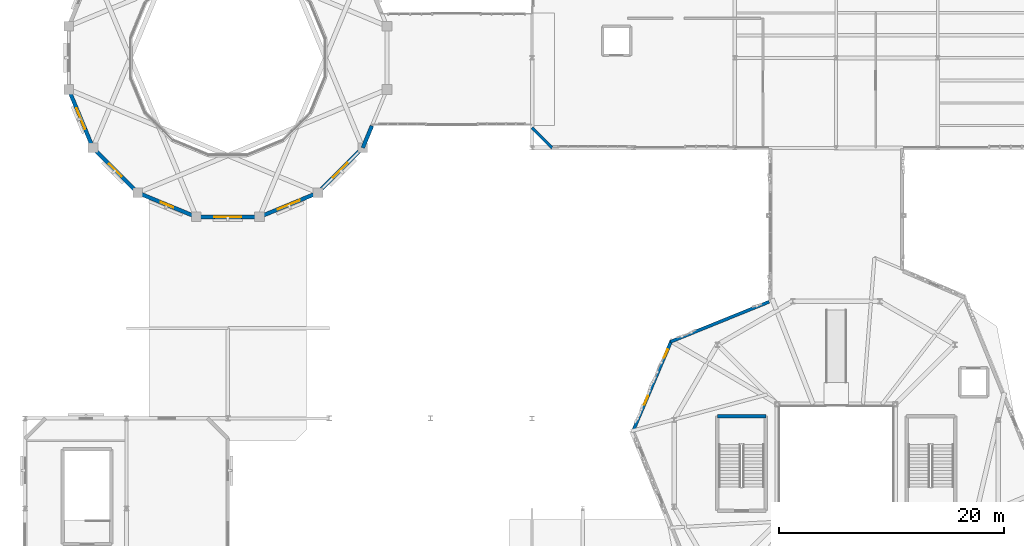
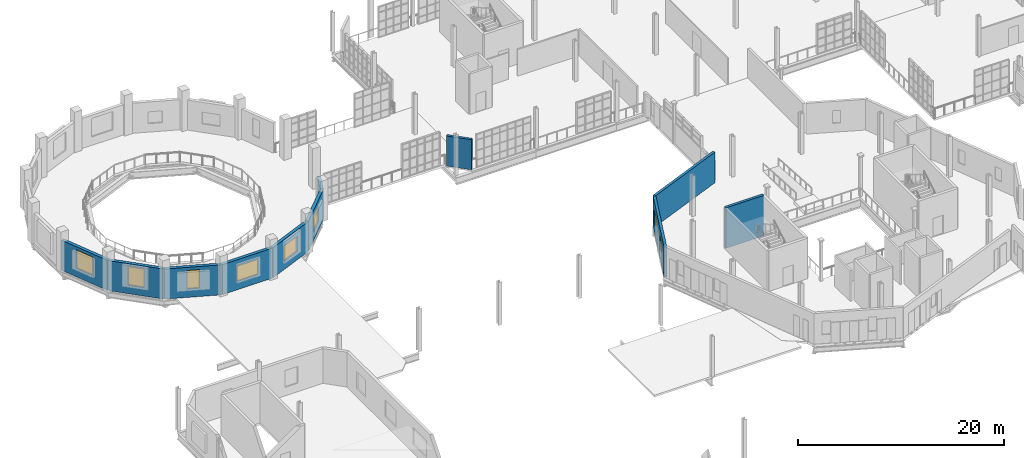
# One storey, part 98 of 122: 11 walls, 8 windows, 8 openings.
"""IFC4 building model written with IfcOpenShell, lengths in metres."""

from ifc_helpers import new_model, si_unit, direction, frame, frame_2d, origin, place, context, subcontext, project, spatial, rectangle, extrude, material, layer, layer_set, type_object, element, fill, save


model = new_model("IFC4")

# Units and contexts
model_context = context("Model", 3, precision=1e-05, world=origin(), true_north=direction((0.0, 1.0)))
body_context = subcontext(model_context, "Body", "Model", "MODEL_VIEW")
ifc_project = project(units=[si_unit("LENGTHUNIT", "METRE"), si_unit("AREAUNIT", "SQUARE_METRE"), si_unit("VOLUMEUNIT", "CUBIC_METRE"), si_unit("PLANEANGLEUNIT", "RADIAN"), si_unit("MASSUNIT", "GRAM", prefix="KILO"), si_unit("THERMODYNAMICTEMPERATUREUNIT", "KELVIN"), si_unit("POWERUNIT", "WATT")], contexts=[model_context])

# Site, building, storey
site_placement = place(None, origin())
site = spatial("IfcSite", under=ifc_project, at=site_placement, CompositionType="ELEMENT")
building_placement = place(site_placement, origin())
building = spatial("IfcBuilding", under=site, at=building_placement, Name="Zelmaris Science Centre", CompositionType="ELEMENT")
storey_placement = place(building_placement, frame((0.0, 0.0, 10.800048828125)))
storey = spatial("IfcBuildingStorey", under=building, at=storey_placement, Name="L02", CompositionType="ELEMENT", Elevation=10.800048828125)

# Walls
ifc_material_1 = material(Name="Concrete C40/50", Category="concrete")
ifc_layer_1 = layer(ifc_material_1, 0.300048828125, Name="Concrete C40/50")
ifc_layer_set_1 = layer_set([ifc_layer_1], Name="Concrete C40/50")
wall_type_1 = type_object("IfcWallType", Name="Core Shear Wall CW-S1 300mm", PredefinedType="SOLIDWALL", material=ifc_layer_set_1)
wall_1_placement = place(storey_placement, frame((74.75, 40.199951171875, 0.0), z_axis=(0.0, 0.0, 1.0), x_axis=(-1.0, 0.0, 0.0)))
element("IfcWall", 1, at=wall_1_placement, inside=storey, type_object=wall_type_1, Name="L02 ST-1 core shear wall far", PredefinedType="SOLIDWALL", context=body_context, shape_type="SweptSolid", body=[
    extrude(rectangle(XDim=4.300048828125, YDim=0.300048828125, at=frame_2d((2.14990234375, 0.0))), origin(), (0.0, 0.0, 1.0), 4.800048828125),
])
ifc_material_2 = material(Name="Yucatan limestone ashlar masonry", Category="masonry")
ifc_layer_2 = layer(ifc_material_2, 0.340087890625, Name="Yucatan limestone ashlar masonry")
ifc_layer_set_2 = layer_set([ifc_layer_2], Name="Yucatan limestone ashlar masonry")
wall_type_2 = type_object("IfcWallType", Name="Exterior Wall EW-02 340mm", PredefinedType="SOLIDWALL", material=ifc_layer_set_2)
wall_2_placement = place(storey_placement, frame((39.786376953125, 65.962890625, 0.0), z_axis=(0.0, 0.0, 1.0), x_axis=(-0.382713710353, -0.923866990377, 0.0)))
element("IfcWall", 2, at=wall_2_placement, inside=storey, type_object=wall_type_2, Name="L02 Exterior wall 96", PredefinedType="SOLIDWALL", context=body_context, shape_type="SweptSolid", body=[
    extrude(rectangle(XDim=2.125, YDim=0.340087890625, at=frame_2d((1.0625, 0.0))), origin(), (0.0, 0.0, 1.0), 3.56494140625),
])

# Wall, opening, window
wall_3_placement = place(storey_placement, frame((38.97314453125, 63.999755859375, 0.0), z_axis=(0.0, 0.0, 1.0), x_axis=(-0.707106781187, -0.707106781187, 0.0)))
wall_3 = element("IfcWall", 3, at=wall_3_placement, inside=storey, type_object=wall_type_2, Name="L02 Exterior wall 97", PredefinedType="SOLIDWALL", context=body_context, shape_type="SweptSolid", body=[
    extrude(rectangle(XDim=5.618408203125, YDim=0.340087890625, at=frame_2d((2.80908203125, 0.0))), origin(), (0.0, 0.0, 1.0), 3.56494140625),
])
opening_1_placement = place(wall_3_placement, frame((1.9091796875, 0.0, 1.0)))
opening_1 = element("IfcOpeningElement", 4, at=opening_1_placement, cuts=wall_3, Name="Opening W-03", PredefinedType="OPENING", context=body_context, shape_type="SweptSolid", body=[
    extrude(rectangle(XDim=1.800048828125, YDim=1.800048828125, at=frame_2d((0.89990234375, 0.89990234375))), frame((0.0, 0.179931640625, 0.0), z_axis=(0.0, -1.0, 0.0), x_axis=(1.0, 0.0, 0.0)), (0.0, 0.0, 1.0), 0.360107421875),
])
ifc_material_3 = material(Name="Laminated hurricane-rated low-E insulated glazing", Category="glass")
window_type_1 = type_object("IfcWindowType", Name="Window W-03 1800x1800", PartitioningType="SINGLE_PANEL", PredefinedType="WINDOW", material=ifc_material_3)
window_1_placement = place(opening_1_placement, origin())
window_1 = element("IfcWindow", 5, at=window_1_placement, inside=storey, type_object=window_type_1, Name="L02 Facade window 51", OverallHeight=1.800048828125, OverallWidth=1.800048828125, PartitioningType="SINGLE_PANEL", PredefinedType="WINDOW", context=body_context, shape_type="SweptSolid", body=[
    extrude(rectangle(XDim=1.800048828125, YDim=1.800048828125, at=frame_2d((0.89990234375, 0.89990234375))), frame((0.0, 0.030029296875, 0.0), z_axis=(0.0, -1.0, 0.0), x_axis=(1.0, 0.0, 0.0)), (0.0, 0.0, 1.0), 0.06005859375),
])
fill(opening_1, window_1)

wall_4_placement = place(storey_placement, frame((35.000244140625, 60.02685546875, 0.0), z_axis=(0.0, 0.0, 1.0), x_axis=(-0.923879667137, -0.38268310735, 0.0)))
wall_4 = element("IfcWall", 6, at=wall_4_placement, inside=storey, type_object=wall_type_2, Name="L02 Exterior wall 98", PredefinedType="SOLIDWALL", context=body_context, shape_type="SweptSolid", body=[
    extrude(rectangle(XDim=5.61865234375, YDim=0.340087890625, at=frame_2d((2.809326171875, 0.0))), origin(), (0.0, 0.0, 1.0), 3.56494140625),
])
opening_2_placement = place(wall_4_placement, frame((1.75927734375, 0.0, 1.0)))
opening_2 = element("IfcOpeningElement", 7, at=opening_2_placement, cuts=wall_4, Name="Opening W-04", PredefinedType="OPENING", context=body_context, shape_type="SweptSolid", body=[
    extrude(rectangle(XDim=2.10009765625, YDim=1.800048828125, at=frame_2d((1.050048828125, 0.89990234375))), frame((0.0, 0.179931640625, 0.0), z_axis=(0.0, -1.0, 0.0), x_axis=(1.0, 0.0, 0.0)), (0.0, 0.0, 1.0), 0.360107421875),
])
window_type_2 = type_object("IfcWindowType", Name="Window W-04 2100x1800", PartitioningType="SINGLE_PANEL", PredefinedType="WINDOW", material=ifc_material_3)
window_2_placement = place(opening_2_placement, origin())
window_2 = element("IfcWindow", 8, at=window_2_placement, inside=storey, type_object=window_type_2, Name="L02 Facade window 52", OverallHeight=1.800048828125, OverallWidth=2.10009765625, PartitioningType="SINGLE_PANEL", PredefinedType="WINDOW", context=body_context, shape_type="SweptSolid", body=[
    extrude(rectangle(XDim=2.10009765625, YDim=1.800048828125, at=frame_2d((1.050048828125, 0.89990234375))), frame((0.0, 0.030029296875, 0.0), z_axis=(0.0, -1.0, 0.0), x_axis=(1.0, 0.0, 0.0)), (0.0, 0.0, 1.0), 0.06005859375),
])
fill(opening_2, window_2)

wall_5_placement = place(storey_placement, frame((29.809326171875, 57.876708984375, 0.0), z_axis=(0.0, 0.0, 1.0), x_axis=(-1.0, 0.0, 0.0)))
wall_5 = element("IfcWall", 9, at=wall_5_placement, inside=storey, type_object=wall_type_2, Name="L02 Exterior wall 99", PredefinedType="SOLIDWALL", context=body_context, shape_type="SweptSolid", body=[
    extrude(rectangle(XDim=5.61865234375, YDim=0.340087890625, at=frame_2d((2.809326171875, 0.0))), origin(), (0.0, 0.0, 1.0), 3.56494140625),
])
opening_3_placement = place(wall_5_placement, frame((1.609375, 0.0, 1.0)))
opening_3 = element("IfcOpeningElement", 10, at=opening_3_placement, cuts=wall_5, Name="Opening W-05", PredefinedType="OPENING", context=body_context, shape_type="SweptSolid", body=[
    extrude(rectangle(XDim=2.39990234375, YDim=1.800048828125, at=frame_2d((1.199951171875, 0.89990234375))), frame((0.0, 0.179931640625, 0.0), z_axis=(0.0, -1.0, 0.0), x_axis=(1.0, 0.0, 0.0)), (0.0, 0.0, 1.0), 0.360107421875),
])
window_type_3 = type_object("IfcWindowType", Name="Window W-05 2400x1800", PartitioningType="SINGLE_PANEL", PredefinedType="WINDOW", material=ifc_material_3)
window_3_placement = place(opening_3_placement, origin())
window_3 = element("IfcWindow", 11, at=window_3_placement, inside=storey, type_object=window_type_3, Name="L02 Facade window 53", OverallHeight=1.800048828125, OverallWidth=2.39990234375, PartitioningType="SINGLE_PANEL", PredefinedType="WINDOW", context=body_context, shape_type="SweptSolid", body=[
    extrude(rectangle(XDim=2.39990234375, YDim=1.800048828125, at=frame_2d((1.199951171875, 0.89990234375))), frame((0.0, 0.030029296875, 0.0), z_axis=(0.0, -1.0, 0.0), x_axis=(1.0, 0.0, 0.0)), (0.0, 0.0, 1.0), 0.06005859375),
])
fill(opening_3, window_3)

wall_6_placement = place(storey_placement, frame((24.190673828125, 57.876708984375, 0.0), z_axis=(0.0, 0.0, 1.0), x_axis=(-0.923843674283, 0.382769990318, 0.0)))
wall_6 = element("IfcWall", 12, at=wall_6_placement, inside=storey, type_object=wall_type_2, Name="L02 Exterior wall 100", PredefinedType="SOLIDWALL", context=body_context, shape_type="SweptSolid", body=[
    extrude(rectangle(XDim=5.619873046875, YDim=0.340087890625, at=frame_2d((2.81005859375, 0.0))), origin(), (0.0, 0.0, 1.0), 3.56494140625),
])
opening_4_placement = place(wall_6_placement, frame((2.2099609375, 0.0, 1.0)))
opening_4 = element("IfcOpeningElement", 13, at=opening_4_placement, cuts=wall_6, Name="Opening W-06", PredefinedType="OPENING", context=body_context, shape_type="SweptSolid", body=[
    extrude(rectangle(XDim=1.199951171875, YDim=2.199951171875, at=frame_2d((0.60009765625, 1.10009765625))), frame((0.0, 0.179931640625, 0.0), z_axis=(0.0, -1.0, 0.0), x_axis=(1.0, 0.0, 0.0)), (0.0, 0.0, 1.0), 0.360107421875),
])
window_type_4 = type_object("IfcWindowType", Name="Window W-06 1200x2200", PartitioningType="SINGLE_PANEL", PredefinedType="WINDOW", material=ifc_material_3)
window_4_placement = place(opening_4_placement, origin())
window_4 = element("IfcWindow", 14, at=window_4_placement, inside=storey, type_object=window_type_4, Name="L02 Facade window 54", OverallHeight=2.199951171875, OverallWidth=1.199951171875, PartitioningType="SINGLE_PANEL", PredefinedType="WINDOW", context=body_context, shape_type="SweptSolid", body=[
    extrude(rectangle(XDim=1.199951171875, YDim=2.199951171875, at=frame_2d((0.60009765625, 1.10009765625))), frame((0.0, 0.030029296875, 0.0), z_axis=(0.0, -1.0, 0.0), x_axis=(1.0, 0.0, 0.0)), (0.0, 0.0, 1.0), 0.06005859375),
])
fill(opening_4, window_4)

wall_7_placement = place(storey_placement, frame((18.998779296875, 60.02783203125, 0.0), z_axis=(0.0, 0.0, 1.0), x_axis=(-0.707106781187, 0.707106781187, 0.0)))
wall_7 = element("IfcWall", 15, at=wall_7_placement, inside=storey, type_object=wall_type_2, Name="L02 Exterior wall 101", PredefinedType="SOLIDWALL", context=body_context, shape_type="SweptSolid", body=[
    extrude(rectangle(XDim=5.6171875, YDim=0.340087890625, at=frame_2d((2.80859375, 0.0))), origin(), (0.0, 0.0, 1.0), 3.56494140625),
])
opening_5_placement = place(wall_7_placement, frame((2.008544921875, 0.0, 1.0)))
opening_5 = element("IfcOpeningElement", 16, at=opening_5_placement, cuts=wall_7, Name="Opening W-07", PredefinedType="OPENING", context=body_context, shape_type="SweptSolid", body=[
    extrude(rectangle(XDim=1.60009765625, YDim=2.199951171875, at=frame_2d((0.800048828125, 1.10009765625))), frame((0.0, 0.179931640625, 0.0), z_axis=(0.0, -1.0, 0.0), x_axis=(1.0, 0.0, 0.0)), (0.0, 0.0, 1.0), 0.360107421875),
])
window_type_5 = type_object("IfcWindowType", Name="Window W-07 1600x2200", PartitioningType="SINGLE_PANEL", PredefinedType="WINDOW", material=ifc_material_3)
window_5_placement = place(opening_5_placement, origin())
window_5 = element("IfcWindow", 17, at=window_5_placement, inside=storey, type_object=window_type_5, Name="L02 Facade window 55", OverallHeight=2.199951171875, OverallWidth=1.60009765625, PartitioningType="SINGLE_PANEL", PredefinedType="WINDOW", context=body_context, shape_type="SweptSolid", body=[
    extrude(rectangle(XDim=1.60009765625, YDim=2.199951171875, at=frame_2d((0.800048828125, 1.10009765625))), frame((0.0, 0.030029296875, 0.0), z_axis=(0.0, -1.0, 0.0), x_axis=(1.0, 0.0, 0.0)), (0.0, 0.0, 1.0), 0.06005859375),
])
fill(opening_5, window_5)

wall_8_placement = place(storey_placement, frame((15.02685546875, 63.999755859375, 0.0), z_axis=(0.0, 0.0, 1.0), x_axis=(-0.38268310735, 0.923879667137, 0.0)))
wall_8 = element("IfcWall", 18, at=wall_8_placement, inside=storey, type_object=wall_type_2, Name="L02 Exterior wall 102", PredefinedType="SOLIDWALL", context=body_context, shape_type="SweptSolid", body=[
    extrude(rectangle(XDim=5.61865234375, YDim=0.340087890625, at=frame_2d((2.809326171875, 0.0))), origin(), (0.0, 0.0, 1.0), 3.56494140625),
])
opening_6_placement = place(wall_8_placement, frame((1.809326171875, 0.0, 1.0)))
opening_6 = element("IfcOpeningElement", 19, at=opening_6_placement, cuts=wall_8, Name="Opening W-08", PredefinedType="OPENING", context=body_context, shape_type="SweptSolid", body=[
    extrude(rectangle(XDim=2.0, YDim=2.199951171875, at=frame_2d((1.0, 1.10009765625))), frame((0.0, 0.179931640625, 0.0), z_axis=(0.0, -1.0, 0.0), x_axis=(1.0, 0.0, 0.0)), (0.0, 0.0, 1.0), 0.360107421875),
])
window_type_6 = type_object("IfcWindowType", Name="Window W-08 2000x2200", PartitioningType="SINGLE_PANEL", PredefinedType="WINDOW", material=ifc_material_3)
window_6_placement = place(opening_6_placement, origin())
window_6 = element("IfcWindow", 20, at=window_6_placement, inside=storey, type_object=window_type_6, Name="L02 Facade window 56", OverallHeight=2.199951171875, OverallWidth=2.0, PartitioningType="SINGLE_PANEL", PredefinedType="WINDOW", context=body_context, shape_type="SweptSolid", body=[
    extrude(rectangle(XDim=2.0, YDim=2.199951171875, at=frame_2d((1.0, 1.10009765625))), frame((0.0, 0.030029296875, 0.0), z_axis=(0.0, -1.0, 0.0), x_axis=(1.0, 0.0, 0.0)), (0.0, 0.0, 1.0), 0.06005859375),
])
fill(opening_6, window_6)

# Wall, openings, windows
ifc_material_4 = material(Name="Precast concrete C40/50", Category="concrete")
ifc_layer_3 = layer(ifc_material_4, 0.280029296875, Name="Precast concrete C40/50")
ifc_layer_set_3 = layer_set([ifc_layer_3], Name="Precast concrete C40/50")
wall_type_3 = type_object("IfcWallType", Name="Exterior Wall EW-05 280mm", PredefinedType="SOLIDWALL", material=ifc_layer_set_3)
wall_9_placement = place(storey_placement, frame((62.93994140625, 38.805419921875, 0.0), z_axis=(0.0, 0.0, 1.0), x_axis=(0.390737900934, 0.920501978691, 0.0)))
wall_9 = element("IfcWall", 21, at=wall_9_placement, inside=storey, type_object=wall_type_3, Name="L02 Exterior wall 92", PredefinedType="SOLIDWALL", context=body_context, shape_type="SweptSolid", body=[
    extrude(rectangle(XDim=8.76806640625, YDim=0.280029296875, at=frame_2d((4.384033203125, 0.0))), origin(), (0.0, 0.0, 1.0), 3.6240234375),
])
opening_7_placement = place(wall_9_placement, frame((2.60888671875, 0.0, 1.050048828125)))
opening_7 = element("IfcOpeningElement", 22, at=opening_7_placement, cuts=wall_9, Name="Opening W-TR3", PredefinedType="OPENING", context=body_context, shape_type="SweptSolid", body=[
    extrude(rectangle(XDim=0.85009765625, YDim=1.60009765625, at=frame_2d((0.425048828125, 0.800048828125))), frame((0.0, 0.14990234375, 0.0), z_axis=(0.0, -1.0, 0.0), x_axis=(1.0, 0.0, 0.0)), (0.0, 0.0, 1.0), 0.300048828125),
])
opening_8_placement = place(wall_9_placement, frame((7.134033203125, 0.0, 1.050048828125)))
opening_8 = element("IfcOpeningElement", 23, at=opening_8_placement, cuts=wall_9, Name="Opening W-TR1", PredefinedType="OPENING", context=body_context, shape_type="SweptSolid", body=[
    extrude(rectangle(XDim=0.800048828125, YDim=1.5, at=frame_2d((0.39990234375, 0.75))), frame((0.0, 0.14990234375, 0.0), z_axis=(0.0, -1.0, 0.0), x_axis=(1.0, 0.0, 0.0)), (0.0, 0.0, 1.0), 0.300048828125),
])
window_type_7 = type_object("IfcWindowType", Name="Window W-TR1 800x1500", PartitioningType="SINGLE_PANEL", PredefinedType="WINDOW", material=ifc_material_3)
window_7_placement = place(opening_8_placement, origin())
window_7 = element("IfcWindow", 24, at=window_7_placement, inside=storey, type_object=window_type_7, Name="L02 Triangular faceted window 49", OverallHeight=1.5, OverallWidth=0.800048828125, PartitioningType="SINGLE_PANEL", PredefinedType="WINDOW", context=body_context, shape_type="SweptSolid", body=[
    extrude(rectangle(XDim=0.800048828125, YDim=1.5, at=frame_2d((0.39990234375, 0.75))), frame((0.0, 0.030029296875, 0.0), z_axis=(0.0, -1.0, 0.0), x_axis=(1.0, 0.0, 0.0)), (0.0, 0.0, 1.0), 0.06005859375),
])
fill(opening_8, window_7)
window_type_8 = type_object("IfcWindowType", Name="Window W-TR3 850x1600", PartitioningType="SINGLE_PANEL", PredefinedType="WINDOW", material=ifc_material_3)
window_8_placement = place(opening_7_placement, origin())
window_8 = element("IfcWindow", 25, at=window_8_placement, inside=storey, type_object=window_type_8, Name="L02 Triangular faceted window 48", OverallHeight=1.60009765625, OverallWidth=0.85009765625, PartitioningType="SINGLE_PANEL", PredefinedType="WINDOW", context=body_context, shape_type="SweptSolid", body=[
    extrude(rectangle(XDim=0.85009765625, YDim=1.60009765625, at=frame_2d((0.425048828125, 0.800048828125))), frame((0.0, 0.030029296875, 0.0), z_axis=(0.0, -1.0, 0.0), x_axis=(1.0, 0.0, 0.0)), (0.0, 0.0, 1.0), 0.06005859375),
])
fill(opening_7, window_8)

# Walls
wall_10_placement = place(storey_placement, frame((66.27880859375, 46.790771484375, 0.0), z_axis=(0.0, 0.0, 1.0), x_axis=(0.926639271133, 0.375951674014, 0.0)))
element("IfcWall", 26, at=wall_10_placement, inside=storey, type_object=wall_type_3, Name="L02 Exterior wall 93", PredefinedType="SOLIDWALL", context=body_context, shape_type="SweptSolid", body=[
    extrude(rectangle(XDim=9.46875, YDim=0.280029296875, at=frame_2d((4.734375, 0.0))), origin(), (0.0, 0.0, 1.0), 3.62890625),
])
ifc_layer_4 = layer(ifc_material_4, 0.260009765625, Name="Precast concrete C40/50")
ifc_layer_set_4 = layer_set([ifc_layer_4], Name="Precast concrete C40/50")
wall_type_4 = type_object("IfcWallType", Name="Exterior Wall EW-06 260mm", PredefinedType="SOLIDWALL", material=ifc_layer_set_4)
wall_11_placement = place(storey_placement, frame((55.800048828125, 64.0, 0.0), z_axis=(0.0, 0.0, 1.0), x_axis=(-0.707106781187, 0.707106781187, 0.0)))
element("IfcWall", 27, at=wall_11_placement, inside=storey, type_object=wall_type_4, Name="L02 Exterior wall 95", PredefinedType="SOLIDWALL", context=body_context, shape_type="SweptSolid", body=[
    extrude(rectangle(XDim=2.544189453125, YDim=0.260009765625, at=frame_2d((1.27197265625, 0.0))), origin(), (0.0, 0.0, 1.0), 3.577880859375),
])

save(model, "model.ifc")
